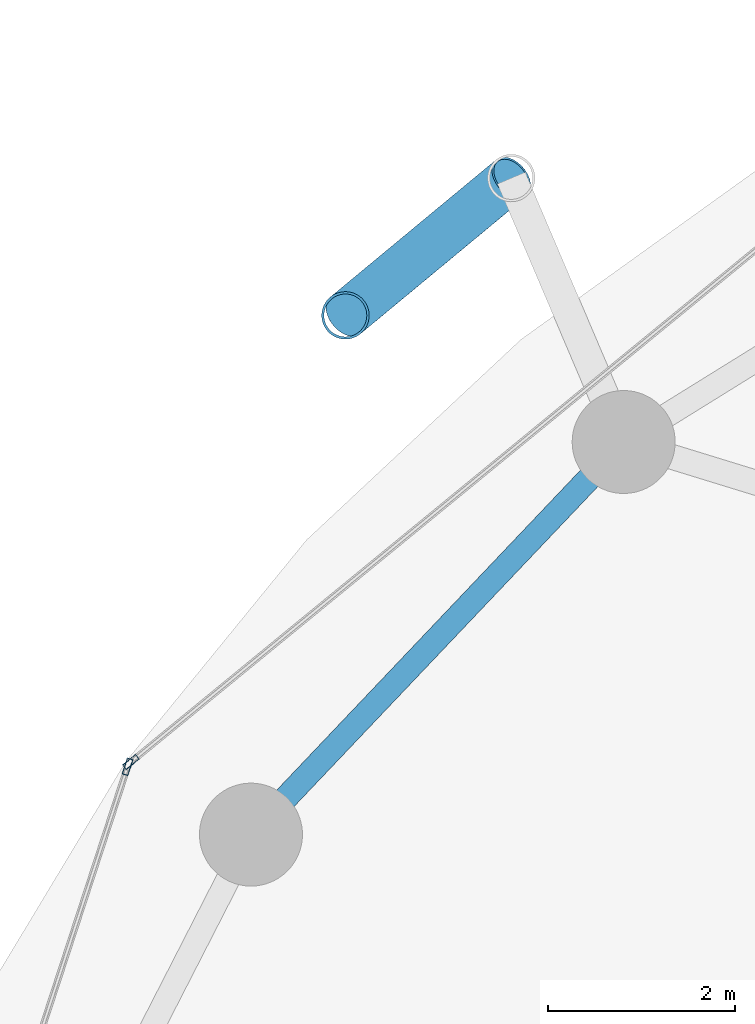
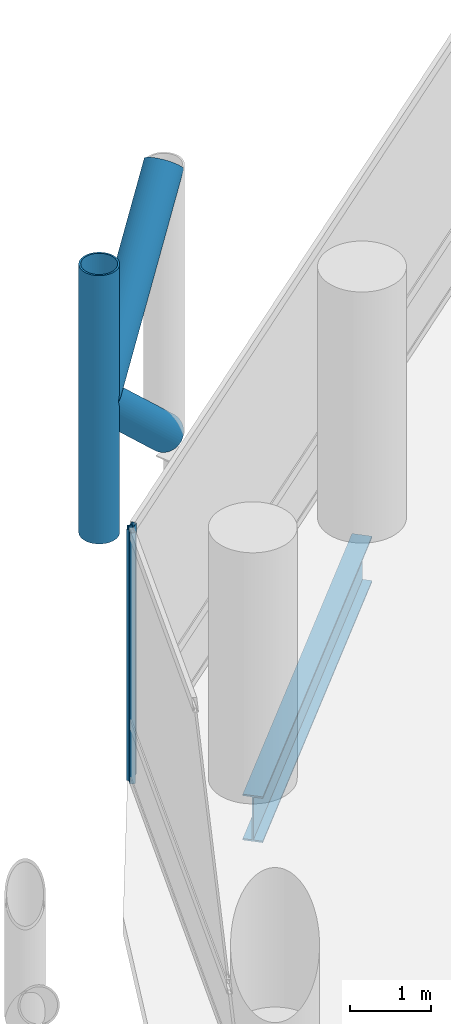
# One storey, part 13 of 24: 5 members, 1 beam, 2 elements without a shape of their own.
"""IFC4 building model written with IfcOpenShell, lengths in metres."""

from ifc_helpers import new_model, si_unit, direction, frame, origin, origin_2d, place, context, subcontext, project, spatial, hollow_rectangle, hollow_circle, i_section, extrude, material, layer, layer_set, material_profile, profile_set, type_object, element, aggregate, save


model = new_model("IFC4")

# Units and contexts
model_context = context("Model", 3, precision=1e-05, world=origin(), true_north=direction((0.0, 1.0)))
body_context = subcontext(model_context, "Body", "Model", "MODEL_VIEW")
ifc_project = project(units=[si_unit("LENGTHUNIT", "METRE"), si_unit("AREAUNIT", "SQUARE_METRE"), si_unit("VOLUMEUNIT", "CUBIC_METRE"), si_unit("PLANEANGLEUNIT", "RADIAN"), si_unit("MASSUNIT", "GRAM", prefix="KILO")], contexts=[model_context])

# Site, building, storey
site_placement = place(None, origin())
site = spatial("IfcSite", under=ifc_project, at=site_placement, CompositionType="ELEMENT")
building_placement = place(site_placement, origin())
building = spatial("IfcBuilding", under=site, at=building_placement, Name="Nuhasar Tower", CompositionType="ELEMENT")
storey_placement = place(building_placement, frame((0.0, 0.0, 33.14990234375)))
storey = spatial("IfcBuildingStorey", under=building, at=storey_placement, Name="L07", CompositionType="ELEMENT", Elevation=33.14990234375)

# Beam
ifc_material_1 = material(Name="Steel S355", Category="steel")
ifc_material_profile_1 = material_profile(ifc_material_1, i_section(OverallWidth=0.256103515625, OverallDepth=0.693115234375, WebThickness=0.014404296875, FlangeThickness=0.023681640625, at=origin_2d()), Name="W27X114")
ifc_profile_set_1 = profile_set([ifc_material_profile_1], Name="Steel S355")
beam_type = type_object("IfcBeamType", Name="BM-RING-W27X114", PredefinedType="SPANDREL", material=ifc_profile_set_1)
beam_placement = place(storey_placement, frame((21.287109375, 41.118896484375, -0.60595703125), z_axis=(-0.688480893507, -0.725254478976, 0.0), x_axis=(0.725254478976, -0.688480893507, 0.0)))
element("IfcBeam", 1, at=beam_placement, inside=storey, type_object=beam_type, Name="L07 Perimeter Ring Spandrel 10", PredefinedType="SPANDREL", context=body_context, shape_type="SweptSolid", body=[
    extrude(i_section(OverallWidth=0.256103515625, OverallDepth=0.693115234375, WebThickness=0.014404296875, FlangeThickness=0.023681640625, at=origin_2d()), origin(), (0.0, 0.0, 1.0), 5.782470703125),
])

# Curtain wall, member
ifc_material_2 = material(Name="Aluminium 6063-T6", Category="aluminium")
ifc_layer = layer(ifc_material_2, 0.199951171875)
ifc_layer_set = layer_set([ifc_layer], Name="Aluminium 6063-T6")
curtain_wall_type = type_object("IfcCurtainWallType", Name="CW-Z1-OFF", PredefinedType="NOTDEFINED", material=ifc_layer_set)
curtain_wall_1_placement = place(storey_placement, origin())
curtain_wall_1 = element("IfcCurtainWall", 2, at=curtain_wall_1_placement, inside=storey, type_object=curtain_wall_type, Name="L07 Unitised Curtain Wall 05", PredefinedType="NOTDEFINED")
ifc_material_profile_2 = material_profile(ifc_material_2, hollow_rectangle(XDim=0.06494140625, YDim=0.179931640625, WallThickness=0.0048828125, at=origin_2d()), Name="CWM-2")
ifc_profile_set_2 = profile_set([ifc_material_profile_2], Name="Aluminium 6063-T6")
member_type_1 = type_object("IfcMemberType", Name="CW-MUL-S2", PredefinedType="MULLION", material=ifc_profile_set_2)
member_1_placement = place(storey_placement, frame((16.023193359375, 37.70068359375, 0.0), z_axis=(0.0, 0.0, 1.0), x_axis=(0.633744593376, -0.773542364946, 0.0)))
member_1 = element("IfcMember", 3, at=member_1_placement, type_object=member_type_1, Name="CW-Z1 mullion 2", PredefinedType="MULLION", context=body_context, shape_type="SweptSolid", body=[
    extrude(hollow_rectangle(XDim=0.06494140625, YDim=0.179931640625, WallThickness=0.0048828125, at=origin_2d()), origin(), (0.0, 0.0, 1.0), 3.7900390625),
])
aggregate(curtain_wall_1, [member_1])

curtain_wall_2_placement = place(storey_placement, origin())
curtain_wall_2 = element("IfcCurtainWall", 4, at=curtain_wall_2_placement, inside=storey, type_object=curtain_wall_type, Name="L07 Unitised Curtain Wall 06", PredefinedType="NOTDEFINED")
member_2_placement = place(storey_placement, frame((15.98779296875, 37.649169921875, 0.0), z_axis=(0.0, 0.0, 1.0), x_axis=(0.950467534571, -0.310823849997, 0.0)))
member_2 = element("IfcMember", 5, at=member_2_placement, type_object=member_type_1, Name="CW-Z1 mullion 1", PredefinedType="MULLION", context=body_context, shape_type="SweptSolid", body=[
    extrude(hollow_rectangle(XDim=0.06494140625, YDim=0.179931640625, WallThickness=0.0048828125, at=origin_2d()), origin(), (0.0, 0.0, 1.0), 3.7900390625),
])
aggregate(curtain_wall_2, [member_2])

# Members
ifc_material_3 = material(Name="Steel S460", Category="steel")
ifc_material_profile_3 = material_profile(ifc_material_3, hollow_circle(Radius=0.25390625, WallThickness=0.025390625, at=origin_2d()), Name="HSS508X25.4")
ifc_profile_set_3 = profile_set([ifc_material_profile_3], Name="Steel S460")
member_type_2 = type_object("IfcMemberType", Name="EXO-BRONZE-508", PredefinedType="BRACE", material=ifc_profile_set_3)
member_3_placement = place(storey_placement, frame((18.31494140625, 42.470947265625, 0.0), z_axis=(0.0, 0.0, 1.0), x_axis=(1.0, 0.0, 0.0)))
element("IfcMember", 6, at=member_3_placement, inside=storey, type_object=member_type_2, Name="L07 Exoskeleton Chord Column EC-05B", PredefinedType="BRACE", context=body_context, shape_type="SweptSolid", body=[
    extrude(hollow_circle(Radius=0.25390625, WallThickness=0.025390625, at=origin_2d()), origin(), (0.0, 0.0, 1.0), 4.050048828125),
])
member_4_placement = place(storey_placement, frame((20.0869140625, 43.93896484375, 0.0), z_axis=(-0.578071194894, -0.478911834514, 0.660664172175), x_axis=(0.637969333506, -0.770061769929, 0.0)))
element("IfcMember", 7, at=member_4_placement, inside=storey, type_object=member_type_2, Name="L07 Bronze Diagrid Brace W1-05", PredefinedType="BRACE", context=body_context, shape_type="SweptSolid", body=[
    extrude(hollow_circle(Radius=0.25390625, WallThickness=0.025390625, at=origin_2d()), origin(), (0.0, 0.0, 1.0), 3.0654296875),
])
member_5_placement = place(storey_placement, frame((18.31494140625, 42.470947265625, 2.025146484375), z_axis=(0.578101613167, 0.478937034992, 0.660619286251), x_axis=(-0.637969333506, 0.770061769929, 0.0)))
element("IfcMember", 8, at=member_5_placement, inside=storey, type_object=member_type_2, Name="L07 Bronze Diagrid Brace W2-05", PredefinedType="BRACE", context=body_context, shape_type="SweptSolid", body=[
    extrude(hollow_circle(Radius=0.25390625, WallThickness=0.025390625, at=origin_2d()), origin(), (0.0, 0.0, 1.0), 3.065185546875),
])

save(model, "model.ifc")
